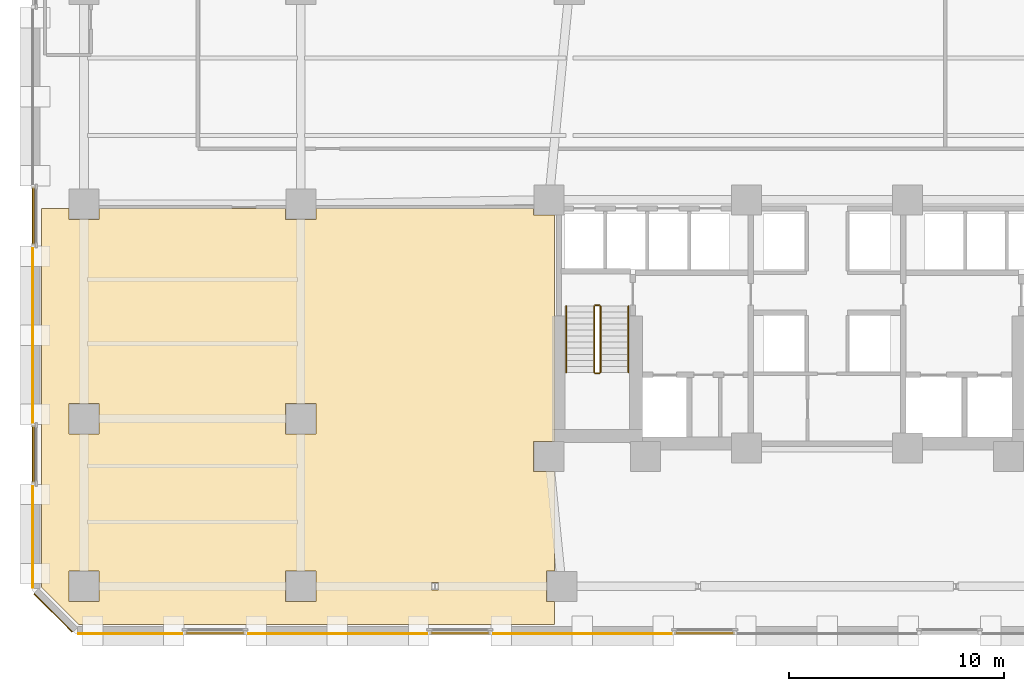
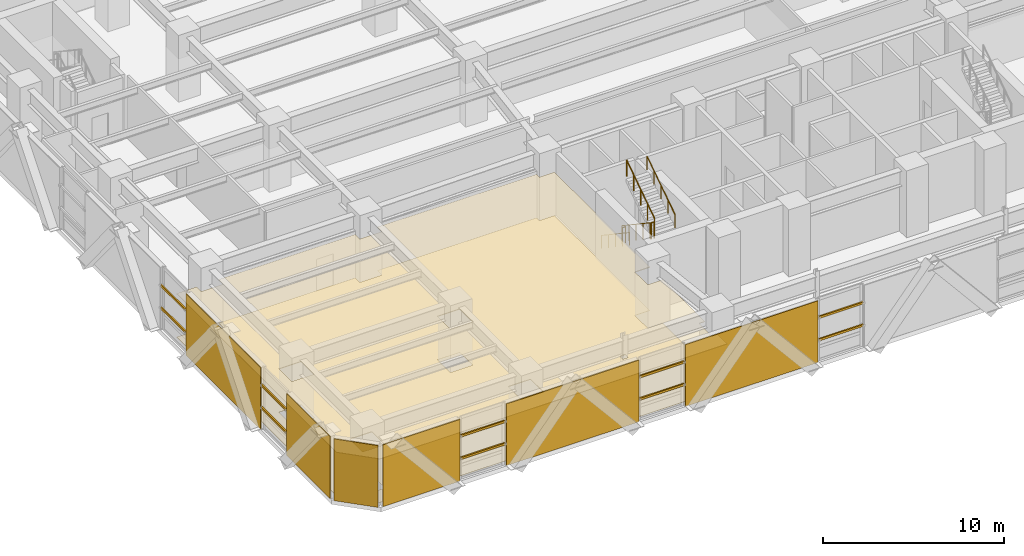
# One storey, part 20 of 26: 10 shading devices, 8 coverings, 6 railings.
"""IFC4 building model written with IfcOpenShell, lengths in metres."""

from ifc_helpers import new_model, si_unit, direction, frame, origin, origin_2d, place, context, subcontext, project, spatial, polyline, rectangle, circle, outline, extrude, material, layer, layer_set, material_profile, profile_set, type_object, element, save


model = new_model("IFC4")

# Units and contexts
model_context = context("Model", 3, precision=1e-05, world=origin(), true_north=direction((0.0, 1.0)))
body_context = subcontext(model_context, "Body", "Model", "MODEL_VIEW")
ifc_project = project(units=[si_unit("LENGTHUNIT", "METRE"), si_unit("AREAUNIT", "SQUARE_METRE"), si_unit("VOLUMEUNIT", "CUBIC_METRE"), si_unit("PLANEANGLEUNIT", "RADIAN"), si_unit("MASSUNIT", "GRAM", prefix="KILO")], contexts=[model_context])

# Site, building, storey
site_placement = place(None, origin())
site = spatial("IfcSite", under=ifc_project, at=site_placement, CompositionType="ELEMENT")
building_placement = place(site_placement, origin())
building = spatial("IfcBuilding", under=site, at=building_placement, Name="Quenlor Broadcast Tower", CompositionType="ELEMENT")
storey_placement = place(building_placement, frame((0.0, 0.0, 14.0)))
storey = spatial("IfcBuildingStorey", under=building, at=storey_placement, Name="L03", CompositionType="ELEMENT", Elevation=14.0)

# Covering
ifc_material_1 = material(Name="Acoustic Gypsum Board", Category="other")
ifc_layer_1 = layer(ifc_material_1, 0.0400390625)
ifc_layer_set_1 = layer_set([ifc_layer_1], Name="Broadcast Studio Spring Isolated Ceiling 40")
covering_type_1 = type_object("IfcCoveringType", Name="Broadcast Studio Spring Isolated Ceiling 40", PredefinedType="CEILING", material=ifc_layer_set_1)
covering_1_placement = place(storey_placement, frame((0.0, 0.0, 2.909912109375)))
element("IfcCovering", 1, at=covering_1_placement, inside=storey, type_object=covering_type_1, Name="L03 Acoustic Ceiling L03-32", PredefinedType="CEILING", context=body_context, shape_type="SweptSolid", body=[
    extrude(outline(polyline([(-36.580078125, -5.199951171875), (-35.30810546875, -5.199951171875), (-35.30810546875, -5.7080078125), (-33.89208984375, -5.7080078125), (-33.89208984375, -5.199951171875), (-25.2080078125, -5.199951171875), (-25.2080078125, -5.7080078125), (-23.7919921875, -5.7080078125), (-23.7919921875, -5.199951171875), (-13.657958984375, -5.199951171875), (-13.657958984375, -5.508056640625), (-12.699951171875, -5.508056640625), (-12.699951171875, -16.0419921875), (-13.657958984375, -16.0419921875), (-13.657958984375, -17.4580078125), (-12.699951171875, -17.4580078125), (-12.699951171875, -22.092041015625), (-13.05810546875, -22.092041015625), (-13.05810546875, -23.508056640625), (-12.699951171875, -23.508056640625), (-12.699951171875, -24.580078125), (-34.825927734375, -24.580078125), (-36.580078125, -22.825927734375), (-36.580078125, -5.199951171875)]), holes=[polyline([(-23.7919921875, -22.092041015625), (-25.2080078125, -22.092041015625), (-25.2080078125, -23.508056640625), (-23.7919921875, -23.508056640625), (-23.7919921875, -22.092041015625)]), polyline([(-18.08642578125, -22.9716796875), (-18.08642578125, -22.62841796875), (-18.41357421875, -22.62841796875), (-18.41357421875, -22.9716796875), (-18.08642578125, -22.9716796875)]), polyline([(-33.89208984375, -22.092041015625), (-35.30810546875, -22.092041015625), (-35.30810546875, -23.508056640625), (-33.89208984375, -23.508056640625), (-33.89208984375, -22.092041015625)]), polyline([(-33.89208984375, -15.7080078125), (-33.89208984375, -14.2919921875), (-35.30810546875, -14.2919921875), (-35.30810546875, -15.7080078125), (-33.89208984375, -15.7080078125)]), polyline([(-23.7919921875, -14.2919921875), (-25.2080078125, -14.2919921875), (-25.2080078125, -15.7080078125), (-23.7919921875, -15.7080078125), (-23.7919921875, -14.2919921875)])]), origin(), (0.0, 0.0, 1.0), 0.0400390625),
])

# Shading devices
ifc_material_2 = material(Name="Architectural Terracotta Ceramic", Category="masonry")
ifc_material_profile = material_profile(ifc_material_2, rectangle(XDim=0.090087890625, YDim=0.139892578125, at=origin_2d()))
ifc_profile_set = profile_set([ifc_material_profile], Name="Architectural Terracotta Ceramic BAG90x140")
shading_device_type = type_object("IfcShadingDeviceType", Name="Copper Terracotta Baguette Solar Screen 140", PredefinedType="USERDEFINED", material=ifc_profile_set)
for number, where, z_axis, x_axis, name in (
    (2, (-4.29052734375, -24.972900390625, 1.511962890625), (-1.0, 0.0, 0.0), (0.0, -1.0, 0.0), "L03 Terracotta Baguette Screen 1"),
    (3, (-4.29052734375, -24.972900390625, 3.02392578125), (-1.0, 0.0, 0.0), (0.0, -1.0, 0.0), "L03 Terracotta Baguette Screen 2"),
    (4, (-15.6904296875, -24.972900390625, 1.511962890625), (-1.0, 0.0, 0.0), (0.0, -1.0, 0.0), "L03 Terracotta Baguette Screen 1"),
    (5, (-15.6904296875, -24.972900390625, 3.02392578125), (-1.0, 0.0, 0.0), (0.0, -1.0, 0.0), "L03 Terracotta Baguette Screen 2"),
):
    element("IfcShadingDevice", number, at=place(storey_placement, frame(where, z_axis=z_axis, x_axis=x_axis)), inside=storey, type_object=shading_device_type, Name=name, ObjectType="BAGUETTE", PredefinedType="USERDEFINED", context=body_context, shape_type="SweptSolid", body=[
        extrude(rectangle(XDim=0.090087890625, YDim=0.139892578125, at=origin_2d()), origin(), (0.0, 0.0, 1.0), 2.819091796875),
    ])
for number, where, z_axis, x_axis, name in (
    (6, (-27.090576171875, -24.972900390625, 1.511962890625), (-1.0, 0.0, 0.0), (0.0, -1.0, 0.0), "L03 Terracotta Baguette Screen 1"),
    (7, (-27.090576171875, -24.972900390625, 3.02392578125), (-1.0, 0.0, 0.0), (0.0, -1.0, 0.0), "L03 Terracotta Baguette Screen 2"),
):
    element("IfcShadingDevice", number, at=place(storey_placement, frame(where, z_axis=z_axis, x_axis=x_axis)), inside=storey, type_object=shading_device_type, Name=name, ObjectType="BAGUETTE", PredefinedType="USERDEFINED", context=body_context, shape_type="SweptSolid", body=[
        extrude(rectangle(XDim=0.090087890625, YDim=0.139892578125, at=origin_2d()), origin(), (0.0, 0.0, 1.0), 2.81884765625),
    ])
for number, where, z_axis, x_axis, name in (
    (8, (-36.972900390625, -18.00634765625, 1.511962890625), (0.0, 1.0, 0.0), (-1.0, 0.0, 0.0), "L03 Terracotta Baguette Screen 1"),
    (9, (-36.972900390625, -18.00634765625, 3.02392578125), (0.0, 1.0, 0.0), (-1.0, 0.0, 0.0), "L03 Terracotta Baguette Screen 2"),
    (10, (-36.972900390625, -6.90625, 1.511962890625), (0.0, 1.0, 0.0), (-1.0, 0.0, 0.0), "L03 Terracotta Baguette Screen 1"),
    (11, (-36.972900390625, -6.90625, 3.02392578125), (0.0, 1.0, 0.0), (-1.0, 0.0, 0.0), "L03 Terracotta Baguette Screen 2"),
):
    element("IfcShadingDevice", number, at=place(storey_placement, frame(where, z_axis=z_axis, x_axis=x_axis)), inside=storey, type_object=shading_device_type, Name=name, ObjectType="BAGUETTE", PredefinedType="USERDEFINED", context=body_context, shape_type="SweptSolid", body=[
        extrude(rectangle(XDim=0.090087890625, YDim=0.139892578125, at=origin_2d()), origin(), (0.0, 0.0, 1.0), 2.712646484375),
    ])

# Coverings
ifc_material_3 = material(Name="Architectural Terracotta Ceramic", Category="masonry")
ifc_layer_2 = layer(ifc_material_3, 0.044921875)
ifc_layer_set_2 = layer_set([ifc_layer_2], Name="Fluted Terracotta Rainscreen Cladding Panel")
covering_type_2 = type_object("IfcCoveringType", Name="Fluted Terracotta Rainscreen Cladding Panel", PredefinedType="CLADDING", material=ifc_layer_set_2)
covering_2_placement = place(storey_placement, frame((0.0, 0.0, 0.02001953125)))
element("IfcCovering", 12, at=covering_2_placement, inside=storey, type_object=covering_type_2, Name="L03 Terracotta Rainscreen Cladding L03-S-FULL-SP5", PredefinedType="CLADDING", context=body_context, shape_type="SweptSolid", body=[
    extrude(outline(polyline([(-7.180419921875, -24.971923828125), (-15.619384765625, -24.971923828125), (-15.619384765625, -25.01708984375), (-7.180419921875, -25.01708984375), (-7.180419921875, -24.971923828125)])), origin(), (0.0, 0.0, 1.0), 4.159912109375),
])
covering_3_placement = place(storey_placement, frame((0.0, 0.0, 0.02001953125)))
element("IfcCovering", 13, at=covering_3_placement, inside=storey, type_object=covering_type_2, Name="L03 Terracotta Rainscreen Cladding L03-S-FULL-SP6", PredefinedType="CLADDING", context=body_context, shape_type="SweptSolid", body=[
    extrude(outline(polyline([(-18.58056640625, -24.971923828125), (-27.01953125, -24.971923828125), (-27.01953125, -25.01708984375), (-18.58056640625, -25.01708984375), (-18.58056640625, -24.971923828125)])), origin(), (0.0, 0.0, 1.0), 4.159912109375),
])
covering_4_placement = place(storey_placement, frame((0.0, 0.0, 0.02001953125)))
element("IfcCovering", 14, at=covering_4_placement, inside=storey, type_object=covering_type_2, Name="L03 Terracotta Rainscreen Cladding L03-S-FULL-SP7", PredefinedType="CLADDING", context=body_context, shape_type="SweptSolid", body=[
    extrude(outline(polyline([(-29.98046875, -24.971923828125), (-34.8701171875, -24.971923828125), (-34.8701171875, -25.01708984375), (-29.98046875, -25.01708984375), (-29.98046875, -24.971923828125)])), origin(), (0.0, 0.0, 1.0), 4.159912109375),
])
covering_5_placement = place(storey_placement, frame((0.0, 0.0, 0.02001953125)))
element("IfcCovering", 15, at=covering_5_placement, inside=storey, type_object=covering_type_2, Name="L03 Terracotta Rainscreen Cladding L03-W-FULL-SP1", PredefinedType="CLADDING", context=body_context, shape_type="SweptSolid", body=[
    extrude(outline(polyline([(-36.971923828125, -22.8701171875), (-36.971923828125, -18.077392578125), (-37.01708984375, -18.077392578125), (-37.01708984375, -22.8701171875), (-36.971923828125, -22.8701171875)])), origin(), (0.0, 0.0, 1.0), 4.159912109375),
])
covering_6_placement = place(storey_placement, frame((0.0, 0.0, 0.02001953125)))
element("IfcCovering", 16, at=covering_6_placement, inside=storey, type_object=covering_type_2, Name="L03 Terracotta Rainscreen Cladding L03-W-FULL-SP2", PredefinedType="CLADDING", context=body_context, shape_type="SweptSolid", body=[
    extrude(outline(polyline([(-36.971923828125, -15.22265625), (-36.971923828125, -6.977294921875), (-37.01708984375, -6.977294921875), (-37.01708984375, -15.22265625), (-36.971923828125, -15.22265625)])), origin(), (0.0, 0.0, 1.0), 4.159912109375),
])
covering_7_placement = place(storey_placement, frame((0.0, 0.0, 0.02001953125)))
element("IfcCovering", 17, at=covering_7_placement, inside=storey, type_object=covering_type_2, Name="L03 Terracotta Rainscreen Cladding L03-EW-CSW", PredefinedType="CLADDING", context=body_context, shape_type="SweptSolid", body=[
    extrude(outline(polyline([(-35.128662109375, -24.90625), (-36.90625, -23.128662109375), (-36.93798828125, -23.160400390625), (-35.160400390625, -24.93798828125), (-35.128662109375, -24.90625)])), origin(), (0.0, 0.0, 1.0), 4.159912109375),
])
ifc_material_4 = material(Name="Terrazzo Stone Finish", Category="masonry")
ifc_layer_3 = layer(ifc_material_4, 0.02001953125)
ifc_layer_set_3 = layer_set([ifc_layer_3], Name="Polished Sandstone Terrazzo Flooring 20")
covering_type_3 = type_object("IfcCoveringType", Name="Polished Sandstone Terrazzo Flooring 20", PredefinedType="FLOORING", material=ifc_layer_set_3)
covering_8_placement = place(storey_placement, origin())
element("IfcCovering", 18, at=covering_8_placement, inside=storey, type_object=covering_type_3, Name="L03 Terrazzo Flooring L03-32", PredefinedType="FLOORING", context=body_context, shape_type="SweptSolid", body=[
    extrude(outline(polyline([(-36.580078125, -5.199951171875), (-35.30810546875, -5.199951171875), (-35.30810546875, -5.7080078125), (-33.89208984375, -5.7080078125), (-33.89208984375, -5.199951171875), (-25.2080078125, -5.199951171875), (-25.2080078125, -5.7080078125), (-23.7919921875, -5.7080078125), (-23.7919921875, -5.199951171875), (-13.657958984375, -5.199951171875), (-13.657958984375, -5.508056640625), (-12.699951171875, -5.508056640625), (-12.699951171875, -16.0419921875), (-13.657958984375, -16.0419921875), (-13.657958984375, -17.4580078125), (-12.699951171875, -17.4580078125), (-12.699951171875, -22.092041015625), (-13.05810546875, -22.092041015625), (-13.05810546875, -23.508056640625), (-12.699951171875, -23.508056640625), (-12.699951171875, -24.580078125), (-34.825927734375, -24.580078125), (-36.580078125, -22.825927734375), (-36.580078125, -5.199951171875)]), holes=[polyline([(-23.7919921875, -22.092041015625), (-25.2080078125, -22.092041015625), (-25.2080078125, -23.508056640625), (-23.7919921875, -23.508056640625), (-23.7919921875, -22.092041015625)]), polyline([(-18.08642578125, -22.9716796875), (-18.08642578125, -22.62841796875), (-18.41357421875, -22.62841796875), (-18.41357421875, -22.9716796875), (-18.08642578125, -22.9716796875)]), polyline([(-33.89208984375, -22.092041015625), (-35.30810546875, -22.092041015625), (-35.30810546875, -23.508056640625), (-33.89208984375, -23.508056640625), (-33.89208984375, -22.092041015625)]), polyline([(-33.89208984375, -15.7080078125), (-33.89208984375, -14.2919921875), (-35.30810546875, -14.2919921875), (-35.30810546875, -15.7080078125), (-33.89208984375, -15.7080078125)]), polyline([(-23.7919921875, -14.2919921875), (-25.2080078125, -14.2919921875), (-25.2080078125, -15.7080078125), (-23.7919921875, -15.7080078125), (-23.7919921875, -14.2919921875)])]), origin(), (0.0, 0.0, 1.0), 0.02001953125),
])

# Railings
ifc_material_5 = material(Name="Anodised Aluminium", Category="aluminium")
railing_type_1 = type_object("IfcRailingType", Name="Stainless Aluminium Wall Handrail 900", PredefinedType="HANDRAIL", material=ifc_material_5)
railing_1_placement = place(storey_placement, frame((-12.14990234375, -9.75, 0.1875)))
element("IfcRailing", 19, at=railing_1_placement, inside=storey, type_object=railing_type_1, Name="L03 ST-1 stair handrail 1", PredefinedType="HANDRAIL", context=body_context, shape_type="SweptSolid", body=[
    extrude(circle(Radius=0.02392578125, at=origin_2d()), frame((0.0, 0.0, 0.8759765625), z_axis=(0.0, -0.830913701846, 0.55640131208), x_axis=(1.0, 0.0, 0.0)), (0.0, 0.0, 1.0), 3.706787109375),
    extrude(circle(Radius=0.02099609375, at=origin_2d()), origin(), (0.0, 0.0, 1.0), 0.851806640625),
    extrude(circle(Radius=0.02099609375, at=origin_2d()), frame((0.0, -0.77001953125, 0.515625)), (0.0, 0.0, 1.0), 0.851806640625),
    extrude(circle(Radius=0.02099609375, at=origin_2d()), frame((0.0, -1.5400390625, 1.03125)), (0.0, 0.0, 1.0), 0.851806640625),
    extrude(circle(Radius=0.02099609375, at=origin_2d()), frame((0.0, -2.31005859375, 1.546875)), (0.0, 0.0, 1.0), 0.851806640625),
    extrude(circle(Radius=0.02099609375, at=origin_2d()), frame((0.0, -3.080078125, 2.0625)), (0.0, 0.0, 1.0), 0.851806640625),
])
railing_2_placement = place(storey_placement, frame((-9.25, -12.830078125, 2.4375)))
element("IfcRailing", 20, at=railing_2_placement, inside=storey, type_object=railing_type_1, Name="L03 ST-1 stair handrail 2", PredefinedType="HANDRAIL", context=body_context, shape_type="SweptSolid", body=[
    extrude(circle(Radius=0.02392578125, at=origin_2d()), frame((0.0, 0.0, 0.8759765625), z_axis=(0.0, 0.830913701846, 0.55640131208), x_axis=(-1.0, 0.0, 0.0)), (0.0, 0.0, 1.0), 3.706787109375),
    extrude(circle(Radius=0.02099609375, at=origin_2d()), origin(), (0.0, 0.0, 1.0), 0.851806640625),
    extrude(circle(Radius=0.02099609375, at=origin_2d()), frame((0.0, 0.77001953125, 0.515625)), (0.0, 0.0, 1.0), 0.851806640625),
    extrude(circle(Radius=0.02099609375, at=origin_2d()), frame((0.0, 1.5400390625, 1.03125)), (0.0, 0.0, 1.0), 0.851806640625),
    extrude(circle(Radius=0.02099609375, at=origin_2d()), frame((0.0, 2.31005859375, 1.546875)), (0.0, 0.0, 1.0), 0.851806640625),
    extrude(circle(Radius=0.02099609375, at=origin_2d()), frame((0.0, 3.080078125, 2.0625)), (0.0, 0.0, 1.0), 0.851806640625),
])
ifc_material_6 = material(Name="Steel S355", Category="steel")
railing_type_2 = type_object("IfcRailingType", Name="Tubular Steel S355 Stair Guardrail 1100", PredefinedType="BALUSTRADE", material=ifc_material_6)
railing_3_placement = place(storey_placement, frame((-10.85009765625, -9.75, 0.1875)))
element("IfcRailing", 21, at=railing_3_placement, inside=storey, type_object=railing_type_2, Name="L03 ST-1 stair guard 1", PredefinedType="BALUSTRADE", context=body_context, shape_type="SweptSolid", body=[
    extrude(circle(Radius=0.02392578125, at=origin_2d()), frame((0.0, 0.0, 1.076171875), z_axis=(0.0, -0.830913701846, 0.55640131208), x_axis=(1.0, 0.0, 0.0)), (0.0, 0.0, 1.0), 3.706787109375),
    extrude(circle(Radius=0.02099609375, at=origin_2d()), origin(), (0.0, 0.0, 1.0), 1.052001953125),
    extrude(circle(Radius=0.02099609375, at=origin_2d()), frame((0.0, -0.77001953125, 0.515625)), (0.0, 0.0, 1.0), 1.052001953125),
    extrude(circle(Radius=0.02099609375, at=origin_2d()), frame((0.0, -1.5400390625, 1.03125)), (0.0, 0.0, 1.0), 1.052001953125),
    extrude(circle(Radius=0.02099609375, at=origin_2d()), frame((0.0, -2.31005859375, 1.546875)), (0.0, 0.0, 1.0), 1.052001953125),
    extrude(circle(Radius=0.02099609375, at=origin_2d()), frame((0.0, -3.080078125, 2.0625)), (0.0, 0.0, 1.0), 1.052001953125),
])
railing_4_placement = place(storey_placement, frame((-10.800048828125, -12.8798828125, 2.25)))
element("IfcRailing", 22, at=railing_4_placement, inside=storey, type_object=railing_type_2, Name="L03 ST-1 stair guard 2", PredefinedType="BALUSTRADE", context=body_context, shape_type="SweptSolid", body=[
    extrude(circle(Radius=0.02392578125, at=origin_2d()), frame((0.0, 0.0, 1.076171875), z_axis=(1.0, 0.0, 0.0), x_axis=(0.0, 1.0, 0.0)), (0.0, 0.0, 1.0), 0.199951171875),
    extrude(circle(Radius=0.02099609375, at=origin_2d()), origin(), (0.0, 0.0, 1.0), 1.052001953125),
    extrude(circle(Radius=0.02099609375, at=origin_2d()), frame((0.199951171875, 0.0, 0.0)), (0.0, 0.0, 1.0), 1.052001953125),
])
railing_5_placement = place(storey_placement, frame((-10.550048828125, -12.830078125, 2.4375)))
element("IfcRailing", 23, at=railing_5_placement, inside=storey, type_object=railing_type_2, Name="L03 ST-1 stair guard 3", PredefinedType="BALUSTRADE", context=body_context, shape_type="SweptSolid", body=[
    extrude(circle(Radius=0.02392578125, at=origin_2d()), frame((0.0, 0.0, 1.076171875), z_axis=(0.0, 0.830913701846, 0.55640131208), x_axis=(-1.0, 0.0, 0.0)), (0.0, 0.0, 1.0), 3.706787109375),
    extrude(circle(Radius=0.02099609375, at=origin_2d()), origin(), (0.0, 0.0, 1.0), 1.052001953125),
    extrude(circle(Radius=0.02099609375, at=origin_2d()), frame((0.0, 0.77001953125, 0.515625)), (0.0, 0.0, 1.0), 1.052001953125),
    extrude(circle(Radius=0.02099609375, at=origin_2d()), frame((0.0, 1.5400390625, 1.03125)), (0.0, 0.0, 1.0), 1.052001953125),
    extrude(circle(Radius=0.02099609375, at=origin_2d()), frame((0.0, 2.31005859375, 1.546875)), (0.0, 0.0, 1.0), 1.052001953125),
    extrude(circle(Radius=0.02099609375, at=origin_2d()), frame((0.0, 3.080078125, 2.0625)), (0.0, 0.0, 1.0), 1.052001953125),
])
railing_6_placement = place(storey_placement, frame((-10.800048828125, -9.699951171875, 0.0)))
element("IfcRailing", 24, at=railing_6_placement, inside=storey, type_object=railing_type_2, Name="L03 ST-1 stair guard 4", PredefinedType="BALUSTRADE", context=body_context, shape_type="SweptSolid", body=[
    extrude(circle(Radius=0.02392578125, at=origin_2d()), frame((0.0, 0.0, 1.076171875), z_axis=(1.0, 0.0, 0.0), x_axis=(0.0, 1.0, 0.0)), (0.0, 0.0, 1.0), 0.199951171875),
    extrude(circle(Radius=0.02099609375, at=origin_2d()), origin(), (0.0, 0.0, 1.0), 1.052001953125),
    extrude(circle(Radius=0.02099609375, at=origin_2d()), frame((0.199951171875, 0.0, 0.0)), (0.0, 0.0, 1.0), 1.052001953125),
])

save(model, "model.ifc")
